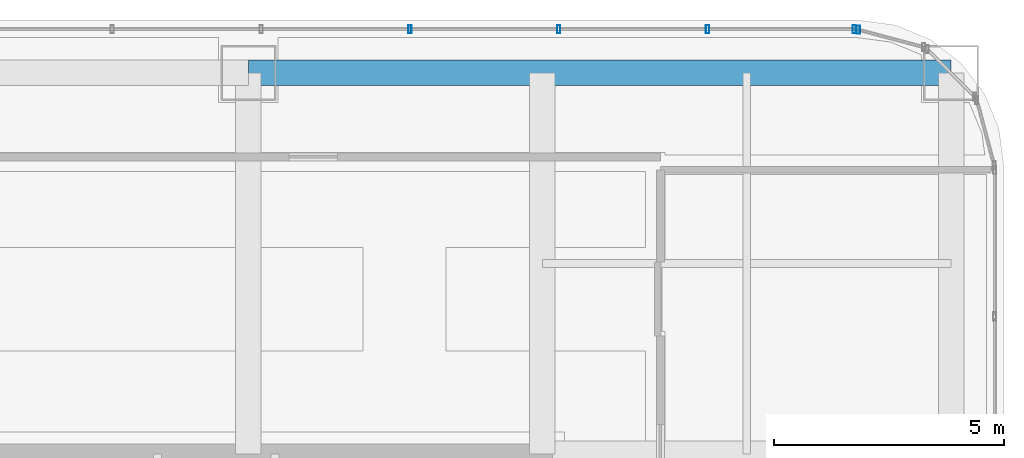
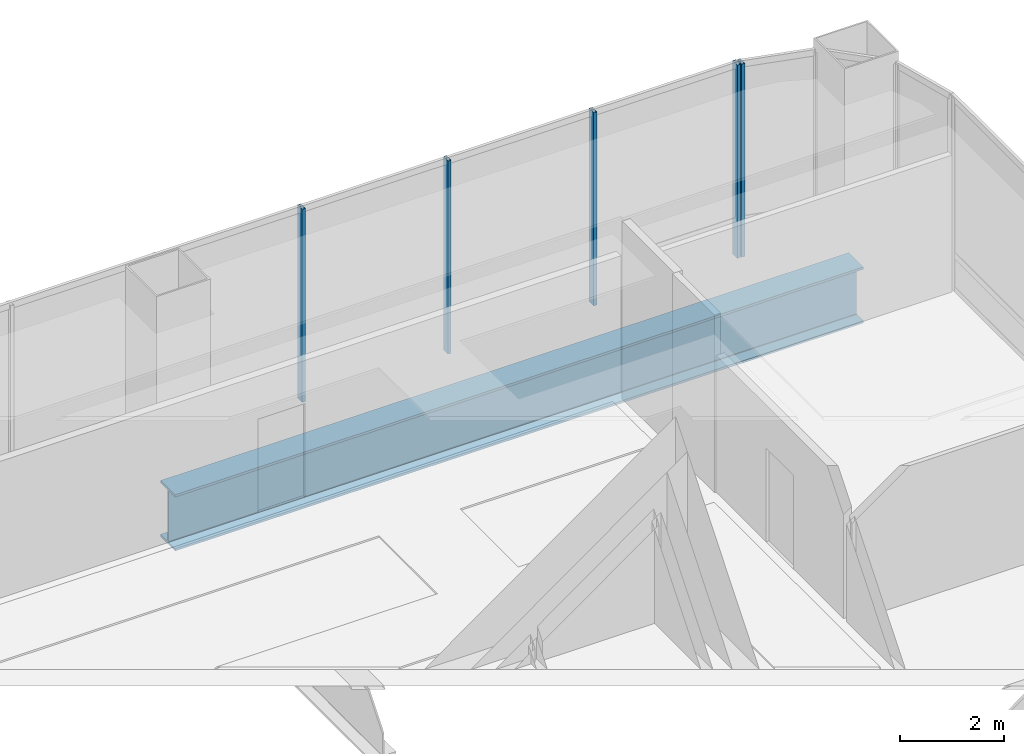
# One storey, part 32 of 44: 5 members, 1 beam, 2 elements without a shape of their own.
"""IFC4 building model written with IfcOpenShell, lengths in metres."""

from ifc_helpers import new_model, si_unit, direction, frame, origin, origin_2d, place, context, subcontext, project, spatial, hollow_rectangle, i_section, extrude, material, material_profile, profile_set, type_object, element, aggregate, save


model = new_model("IFC4")

# Units and contexts
model_context = context("Model", 3, precision=1e-05, world=origin(), true_north=direction((0.0, 1.0)))
body_context = subcontext(model_context, "Body", "Model", "MODEL_VIEW")
ifc_project = project(units=[si_unit("LENGTHUNIT", "METRE"), si_unit("AREAUNIT", "SQUARE_METRE"), si_unit("VOLUMEUNIT", "CUBIC_METRE"), si_unit("PLANEANGLEUNIT", "RADIAN"), si_unit("MASSUNIT", "GRAM", prefix="KILO")], contexts=[model_context])

# Site, building, storey
site_placement = place(None, origin())
site = spatial("IfcSite", under=ifc_project, at=site_placement, CompositionType="ELEMENT")
building_placement = place(site_placement, origin())
building = spatial("IfcBuilding", under=site, at=building_placement, Name="Punatoya Terracotta Tower", CompositionType="ELEMENT")
storey_placement = place(building_placement, frame((0.0, 0.0, 334.199951171875)))
storey = spatial("IfcBuildingStorey", under=building, at=storey_placement, Name="L79", CompositionType="ELEMENT", Elevation=334.199951171875)

# Beam
ifc_material_1 = material(Name="Steel S460", Category="steel")
ifc_material_profile_1 = material_profile(ifc_material_1, i_section(OverallWidth=0.56005859375, OverallDepth=1.320068359375, WebThickness=0.035888671875, FlangeThickness=0.054931640625, FilletRadius=0.01806640625, at=origin_2d()))
ifc_profile_set_1 = profile_set([ifc_material_profile_1], Name="Steel S460")
beam_type = type_object("IfcBeamType", Name="BM-TG-BLK", PredefinedType="BEAM", material=ifc_profile_set_1)
beam_placement = place(storey_placement, frame((3.800048828125, 17.5, -0.919921875), z_axis=(1.0, 0.0, 0.0), x_axis=(0.0, 1.0, 0.0)))
element("IfcBeam", 1, at=beam_placement, inside=storey, type_object=beam_type, Name="BM-L79-RG-N3", PredefinedType="BEAM", context=body_context, shape_type="SweptSolid", body=[
    extrude(i_section(OverallWidth=0.56005859375, OverallDepth=1.320068359375, WebThickness=0.035888671875, FlangeThickness=0.054931640625, FilletRadius=0.01806640625, at=origin_2d()), origin(), (0.0, 0.0, 1.0), 15.300048828125),
])

# Curtain wall, member
ifc_material_2 = material(Name="Aluminium 6063-T6 + Double Low-E Glass", Category="aluminium")
curtain_wall_type = type_object("IfcCurtainWallType", Name="CW-OBS", PredefinedType="NOTDEFINED", material=ifc_material_2)
curtain_wall_1_placement = place(storey_placement, origin())
curtain_wall_1 = element("IfcCurtainWall", 2, at=curtain_wall_1_placement, inside=storey, type_object=curtain_wall_type, Name="L79 Curtain Wall CW-L79-CRN13", PredefinedType="NOTDEFINED")
ifc_material_3 = material(Name="Aluminium 6063-T6", Category="aluminium")
ifc_material_profile_2 = material_profile(ifc_material_3, hollow_rectangle(XDim=0.070068359375, YDim=0.179931640625, WallThickness=0.00390625, at=origin_2d()))
ifc_profile_set_2 = profile_set([ifc_material_profile_2], Name="Aluminium 6063-T6")
member_type = type_object("IfcMemberType", Name="CW-MUL-M3", PredefinedType="MULLION", material=ifc_profile_set_2)
member_1_placement = place(storey_placement, frame((17.080322265625, 18.4384765625, 0.0), z_axis=(0.0, 0.0, 1.0), x_axis=(1.0, 0.0, 0.0)))
member_1 = element("IfcMember", 3, at=member_1_placement, type_object=member_type, Name="CW-L79-CRN13 Mullion 01", PredefinedType="MULLION", context=body_context, shape_type="SweptSolid", body=[
    extrude(hollow_rectangle(XDim=0.070068359375, YDim=0.179931640625, WallThickness=0.00390625, at=origin_2d()), origin(), (0.0, 0.0, 1.0), 4.5400390625),
])
aggregate(curtain_wall_1, [member_1])

# Curtain wall, members
curtain_wall_2_placement = place(storey_placement, origin())
curtain_wall_2 = element("IfcCurtainWall", 4, at=curtain_wall_2_placement, inside=storey, type_object=curtain_wall_type, Name="L79 Curtain Wall CW-L79-N14-1", PredefinedType="NOTDEFINED")
member_2_placement = place(storey_placement, frame((16.991943359375, 18.449951171875, 0.0), z_axis=(0.0, 0.0, 1.0), x_axis=(1.0, 0.0, 0.0)))
member_2 = element("IfcMember", 5, at=member_2_placement, type_object=member_type, Name="CW-L79-N14-1 Mullion 00", PredefinedType="MULLION", context=body_context, shape_type="SweptSolid", body=[
    extrude(hollow_rectangle(XDim=0.070068359375, YDim=0.179931640625, WallThickness=0.00390625, at=origin_2d()), origin(), (0.0, 0.0, 1.0), 4.5400390625),
])
member_3_placement = place(storey_placement, frame((13.79736328125, 18.449951171875, 0.0), z_axis=(0.0, 0.0, 1.0), x_axis=(1.0, 0.0, 0.0)))
member_3 = element("IfcMember", 6, at=member_3_placement, type_object=member_type, Name="CW-L79-N14-1 Mullion 01", PredefinedType="MULLION", context=body_context, shape_type="SweptSolid", body=[
    extrude(hollow_rectangle(XDim=0.070068359375, YDim=0.179931640625, WallThickness=0.00390625, at=origin_2d()), origin(), (0.0, 0.0, 1.0), 4.5400390625),
])
member_4_placement = place(storey_placement, frame((10.557861328125, 18.449951171875, 0.0), z_axis=(0.0, 0.0, 1.0), x_axis=(1.0, 0.0, 0.0)))
member_4 = element("IfcMember", 7, at=member_4_placement, type_object=member_type, Name="CW-L79-N14-1 Mullion 02", PredefinedType="MULLION", context=body_context, shape_type="SweptSolid", body=[
    extrude(hollow_rectangle(XDim=0.070068359375, YDim=0.179931640625, WallThickness=0.00390625, at=origin_2d()), origin(), (0.0, 0.0, 1.0), 4.5400390625),
])
member_5_placement = place(storey_placement, frame((7.318359375, 18.449951171875, 0.0), z_axis=(0.0, 0.0, 1.0), x_axis=(1.0, 0.0, 0.0)))
member_5 = element("IfcMember", 8, at=member_5_placement, type_object=member_type, Name="CW-L79-N14-1 Mullion 03", PredefinedType="MULLION", context=body_context, shape_type="SweptSolid", body=[
    extrude(hollow_rectangle(XDim=0.070068359375, YDim=0.179931640625, WallThickness=0.00390625, at=origin_2d()), origin(), (0.0, 0.0, 1.0), 4.5400390625),
])
aggregate(curtain_wall_2, [member_2, member_3, member_4, member_5])

save(model, "model.ifc")
